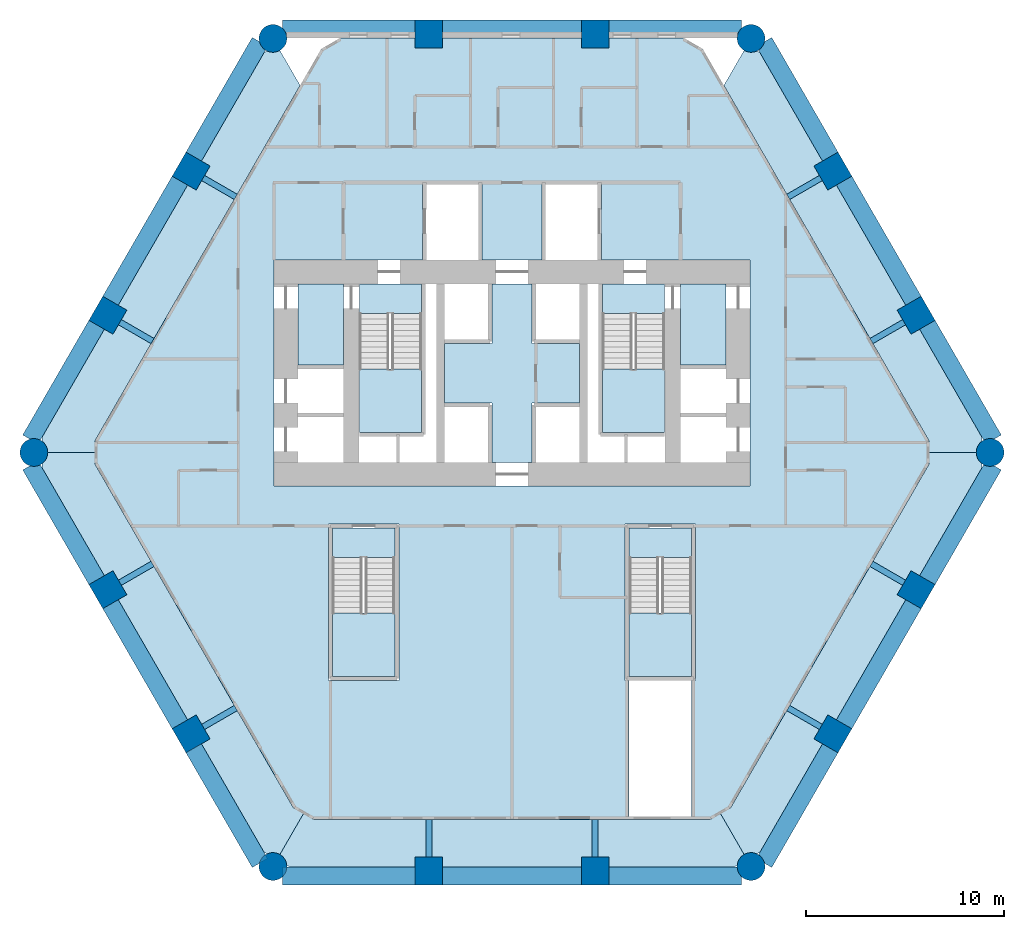
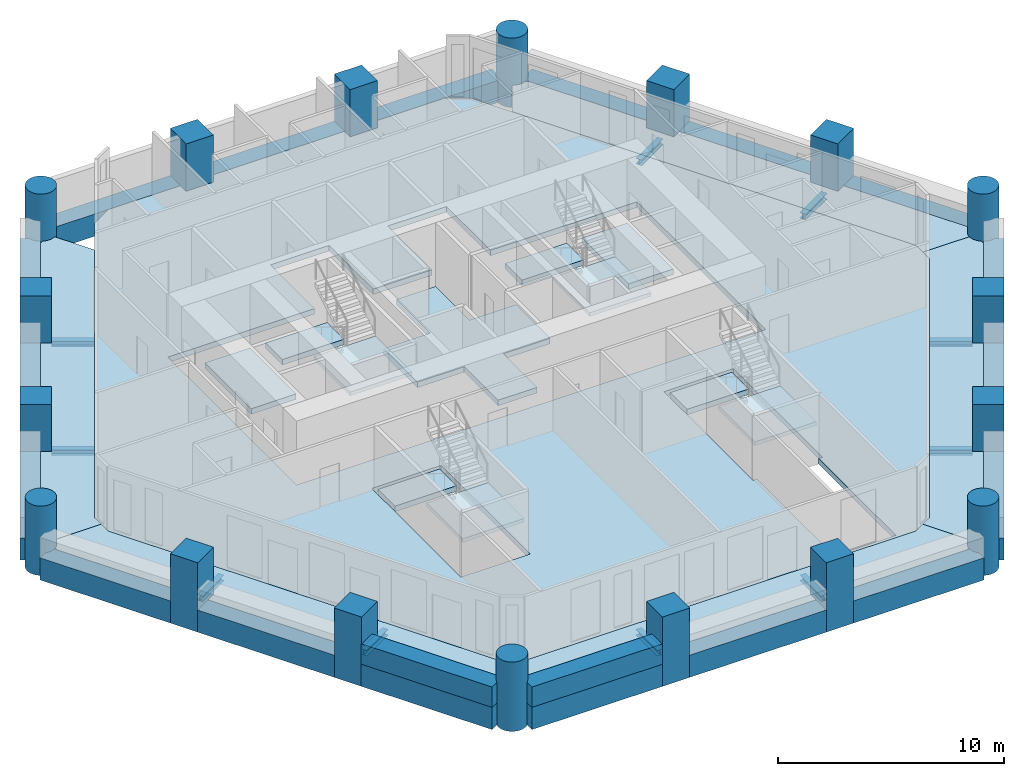
# One storey, part 1 of 8: 28 beams, 18 columns, 17 slabs, 2 walls, 4 elements without a shape of their own.
"""IFC4 building model written with IfcOpenShell, lengths in metres."""

from ifc_helpers import new_model, si_unit, direction, frame, frame_2d, origin, origin_2d, place, context, subcontext, project, spatial, polyline, rectangle, circle, i_section, outline, extrude, material, layer, layer_set, material_profile, profile_set, type_object, element, aggregate, save


model = new_model("IFC4")

# Units and contexts
model_context = context("Model", 3, precision=1e-05, world=origin(), true_north=direction((0.0, 1.0)))
body_context = subcontext(model_context, "Body", "Model", "MODEL_VIEW")
ifc_project = project(units=[si_unit("LENGTHUNIT", "METRE"), si_unit("AREAUNIT", "SQUARE_METRE"), si_unit("VOLUMEUNIT", "CUBIC_METRE"), si_unit("PLANEANGLEUNIT", "RADIAN"), si_unit("MASSUNIT", "GRAM", prefix="KILO")], contexts=[model_context])

# Site, building, storey
site_placement = place(None, origin())
site = spatial("IfcSite", under=ifc_project, at=site_placement, CompositionType="ELEMENT")
building_placement = place(site_placement, origin())
building = spatial("IfcBuilding", under=site, at=building_placement, Name="Ostrander Bayou Hotel Tower", CompositionType="ELEMENT")
storey_placement = place(building_placement, frame((0.0, 0.0, 28.0)))
storey = spatial("IfcBuildingStorey", under=building, at=storey_placement, Name="L06", CompositionType="ELEMENT", Elevation=28.0)

# Columns
ifc_material_1 = material(Name="Concrete f'c 70 MPa", Category="concrete")
ifc_material_profile_1 = material_profile(ifc_material_1, circle(Radius=0.699951171875, at=origin_2d()))
ifc_profile_set_1 = profile_set([ifc_material_profile_1], Name="Concrete f'c 70 MPa")
column_type_1 = type_object("IfcColumnType", Name="C1 round column 1400 mm f'c 70 MPa", PredefinedType="COLUMN", material=ifc_profile_set_1)
for number, where, z_axis, x_axis, name in (
    (1, (-12.050537109375, 20.872314453125, -1.199951171875), (0.0, 0.0, 1.0), (1.0, 0.0, 0.0), "C1 L06 K0"),
    (2, (-24.101318359375, 0.0, -1.199951171875), (0.0, 0.0, 1.0), (1.0, 0.0, 0.0), "C1 L06 K1"),
    (3, (-12.050537109375, -20.872314453125, -1.199951171875), (0.0, 0.0, 1.0), (1.0, 0.0, 0.0), "C1 L06 K2"),
    (4, (12.050537109375, -20.872314453125, -1.199951171875), (0.0, 0.0, 1.0), (1.0, 0.0, 0.0), "C1 L06 K3"),
    (5, (24.101318359375, 0.0, -1.199951171875), (0.0, 0.0, 1.0), (1.0, 0.0, 0.0), "C1 L06 K4"),
    (6, (12.050537109375, 20.872314453125, -1.199951171875), (0.0, 0.0, 1.0), (1.0, 0.0, 0.0), "C1 L06 K5"),
):
    element("IfcColumn", number, at=place(storey_placement, frame(where, z_axis=z_axis, x_axis=x_axis)), inside=storey, type_object=column_type_1, Name=name, PredefinedType="COLUMN", context=body_context, shape_type="SweptSolid", body=[
        extrude(circle(Radius=0.699951171875, at=origin_2d()), origin(), (0.0, 0.0, 1.0), 3.75),
    ])
ifc_material_2 = material(Name="Concrete f'c 70 MPa", Category="concrete")
ifc_material_profile_2 = material_profile(ifc_material_2, rectangle(XDim=1.39990234375, YDim=1.39990234375, at=origin_2d()))
ifc_profile_set_2 = profile_set([ifc_material_profile_2], Name="Concrete f'c 70 MPa")
column_type_2 = type_object("IfcColumnType", Name="C2 square column 1400 x 1400 mm f'c 70 MPa", PredefinedType="COLUMN", material=ifc_profile_set_2)
for number, where, z_axis, x_axis, name in (
    (7, (4.1953125, 21.10009765625, -1.199951171875), (0.0, 0.0, 1.0), (1.0, 0.0, 0.0), "C2 L06 N1"),
    (8, (-4.1953125, 21.10009765625, -1.199951171875), (0.0, 0.0, 1.0), (1.0, 0.0, 0.0), "C2 L06 N2"),
    (9, (-16.17529296875, 14.183349609375, -1.199951171875), (0.0, 0.0, 1.0), (0.5, 0.866025403784, 0.0), "C2 L06 NW1"),
    (10, (-20.370849609375, 6.916748046875, -1.199951171875), (0.0, 0.0, 1.0), (0.5, 0.866025403784, 0.0), "C2 L06 NW2"),
    (11, (-20.370849609375, -6.916748046875, -1.199951171875), (0.0, 0.0, 1.0), (-0.5, 0.866025403784, 0.0), "C2 L06 SW1"),
    (12, (-16.17529296875, -14.183349609375, -1.199951171875), (0.0, 0.0, 1.0), (-0.5, 0.866025403784, 0.0), "C2 L06 SW2"),
    (13, (-4.1953125, -21.10009765625, -1.199951171875), (0.0, 0.0, 1.0), (-1.0, 0.0, 0.0), "C2 L06 S1"),
    (14, (4.1953125, -21.10009765625, -1.199951171875), (0.0, 0.0, 1.0), (-1.0, 0.0, 0.0), "C2 L06 S2"),
    (15, (16.17529296875, -14.183349609375, -1.199951171875), (0.0, 0.0, 1.0), (-0.5, -0.866025403784, 0.0), "C2 L06 SE1"),
    (16, (20.370849609375, -6.916748046875, -1.199951171875), (0.0, 0.0, 1.0), (-0.5, -0.866025403784, 0.0), "C2 L06 SE2"),
    (17, (20.370849609375, 6.916748046875, -1.199951171875), (0.0, 0.0, 1.0), (0.5, -0.866025403784, 0.0), "C2 L06 NE1"),
    (18, (16.17529296875, 14.183349609375, -1.199951171875), (0.0, 0.0, 1.0), (0.5, -0.866025403784, 0.0), "C2 L06 NE2"),
):
    element("IfcColumn", number, at=place(storey_placement, frame(where, z_axis=z_axis, x_axis=x_axis)), inside=storey, type_object=column_type_2, Name=name, PredefinedType="COLUMN", context=body_context, shape_type="SweptSolid", body=[
        extrude(rectangle(XDim=1.39990234375, YDim=1.39990234375, at=origin_2d()), origin(), (0.0, 0.0, 1.0), 3.75),
    ])

# Beams
ifc_material_3 = material(Name="Steel ASTM A992", Category="steel")
ifc_material_profile_3 = material_profile(ifc_material_3, i_section(OverallWidth=0.3046875, OverallDepth=0.307861328125, WebThickness=0.010009765625, FlangeThickness=0.015380859375, at=origin_2d()))
ifc_profile_set_3 = profile_set([ifc_material_profile_3], Name="Steel ASTM A992")
beam_type_1 = type_object("IfcBeamType", Name="LB1 loggia bracket W12x65", PredefinedType="BEAM", material=ifc_profile_set_3)
beam_1_placement = place(storey_placement, frame((-15.569091796875, 13.833251953125, -0.453857421875), z_axis=(0.86601224135, -0.500022797313, 0.0), x_axis=(0.500022797313, 0.86601224135, 0.0)))
element("IfcBeam", 19, at=beam_1_placement, inside=storey, type_object=beam_type_1, Name="LB1 L06 NW1", PredefinedType="BEAM", context=body_context, shape_type="SweptSolid", body=[
    extrude(i_section(OverallWidth=0.3046875, OverallDepth=0.307861328125, WebThickness=0.010009765625, FlangeThickness=0.015380859375, at=origin_2d()), origin(), (0.0, 0.0, 1.0), 1.89990234375),
])
for number, where, z_axis, x_axis, name in (
    (20, (-19.7646484375, 6.566650390625, -0.453857421875), (0.866044365799, -0.499967155389, 0.0), (0.499967155389, 0.866044365799, 0.0), "LB1 L06 NW2"),
    (21, (-19.7646484375, -6.566650390625, -0.453857421875), (0.866044365799, 0.499967155389, 0.0), (-0.499967155389, 0.866044365799, 0.0), "LB1 L06 SW1"),
):
    element("IfcBeam", number, at=place(storey_placement, frame(where, z_axis=z_axis, x_axis=x_axis)), inside=storey, type_object=beam_type_1, Name=name, PredefinedType="BEAM", context=body_context, shape_type="SweptSolid", body=[
        extrude(i_section(OverallWidth=0.3046875, OverallDepth=0.307861328125, WebThickness=0.010009765625, FlangeThickness=0.015380859375, at=origin_2d()), origin(), (0.0, 0.0, 1.0), 1.900146484375),
    ])
for number, where, z_axis, x_axis, name in (
    (22, (-15.569091796875, -13.833251953125, -0.453857421875), (0.86601224135, 0.500022797313, 0.0), (-0.500022797313, 0.86601224135, 0.0), "LB1 L06 SW2"),
    (23, (-4.1953125, -20.39990234375, -0.453857421875), (0.0, 1.0, 0.0), (-1.0, 0.0, 0.0), "LB1 L06 S1"),
    (24, (4.1953125, -20.39990234375, -0.453857421875), (0.0, 1.0, 0.0), (-1.0, 0.0, 0.0), "LB1 L06 S2"),
    (25, (15.569091796875, -13.833251953125, -0.453857421875), (-0.86601224135, 0.500022797313, 0.0), (-0.500022797313, -0.86601224135, 0.0), "LB1 L06 SE1"),
):
    element("IfcBeam", number, at=place(storey_placement, frame(where, z_axis=z_axis, x_axis=x_axis)), inside=storey, type_object=beam_type_1, Name=name, PredefinedType="BEAM", context=body_context, shape_type="SweptSolid", body=[
        extrude(i_section(OverallWidth=0.3046875, OverallDepth=0.307861328125, WebThickness=0.010009765625, FlangeThickness=0.015380859375, at=origin_2d()), origin(), (0.0, 0.0, 1.0), 1.89990234375),
    ])
for number, where, z_axis, x_axis, name in (
    (26, (19.7646484375, -6.566650390625, -0.453857421875), (-0.866044365799, 0.499967155389, 0.0), (-0.499967155389, -0.866044365799, 0.0), "LB1 L06 SE2"),
    (27, (19.7646484375, 6.566650390625, -0.453857421875), (-0.866044365799, -0.499967155389, 0.0), (0.499967155389, -0.866044365799, 0.0), "LB1 L06 NE1"),
):
    element("IfcBeam", number, at=place(storey_placement, frame(where, z_axis=z_axis, x_axis=x_axis)), inside=storey, type_object=beam_type_1, Name=name, PredefinedType="BEAM", context=body_context, shape_type="SweptSolid", body=[
        extrude(i_section(OverallWidth=0.3046875, OverallDepth=0.307861328125, WebThickness=0.010009765625, FlangeThickness=0.015380859375, at=origin_2d()), origin(), (0.0, 0.0, 1.0), 1.900146484375),
    ])
beam_2_placement = place(storey_placement, frame((15.569091796875, 13.833251953125, -0.453857421875), z_axis=(-0.86601224135, -0.500022797313, 0.0), x_axis=(0.500022797313, -0.86601224135, 0.0)))
element("IfcBeam", 28, at=beam_2_placement, inside=storey, type_object=beam_type_1, Name="LB1 L06 NE2", PredefinedType="BEAM", context=body_context, shape_type="SweptSolid", body=[
    extrude(i_section(OverallWidth=0.3046875, OverallDepth=0.307861328125, WebThickness=0.010009765625, FlangeThickness=0.015380859375, at=origin_2d()), origin(), (0.0, 0.0, 1.0), 1.89990234375),
])
ifc_material_4 = material(Name="Concrete f'c 70 MPa", Category="concrete")
ifc_material_profile_4 = material_profile(ifc_material_4, rectangle(XDim=0.89990234375, YDim=1.199951171875, at=origin_2d()))
ifc_profile_set_4 = profile_set([ifc_material_profile_4], Name="Concrete f'c 70 MPa")
beam_type_2 = type_object("IfcBeamType", Name="SP1 spandrel beam 900 x 1200 mm f'c 70 MPa", PredefinedType="SPANDREL", material=ifc_profile_set_4)
beam_3_placement = place(storey_placement, frame((11.569091796875, 21.35009765625, -0.60009765625), z_axis=(-1.0, 0.0, 0.0), x_axis=(0.0, -1.0, 0.0)))
element("IfcBeam", 29, at=beam_3_placement, inside=storey, type_object=beam_type_2, Name="SP1 L06 N-1", PredefinedType="SPANDREL", context=body_context, shape_type="SweptSolid", body=[
    extrude(rectangle(XDim=0.89990234375, YDim=1.199951171875, at=origin_2d()), origin(), (0.0, 0.0, 1.0), 6.70361328125),
])
beam_4_placement = place(storey_placement, frame((3.525390625, 21.35009765625, -0.60009765625), z_axis=(-1.0, 0.0, 0.0), x_axis=(0.0, -1.0, 0.0)))
element("IfcBeam", 30, at=beam_4_placement, inside=storey, type_object=beam_type_2, Name="SP1 L06 N-2", PredefinedType="SPANDREL", context=body_context, shape_type="SweptSolid", body=[
    extrude(rectangle(XDim=0.89990234375, YDim=1.199951171875, at=origin_2d()), origin(), (0.0, 0.0, 1.0), 7.05078125),
])
for number, where, z_axis, x_axis, name in (
    (31, (-4.865478515625, 21.35009765625, -0.60009765625), (-1.0, 0.0, 0.0), (0.0, -1.0, 0.0), "SP1 L06 N-3"),
    (32, (-12.705078125, 20.694091796875, -0.60009765625), (-0.500005133765, -0.866022439784, 0.0), (0.866022439784, -0.500005133765, 0.0), "SP1 L06 NW-1"),
):
    element("IfcBeam", number, at=place(storey_placement, frame(where, z_axis=z_axis, x_axis=x_axis)), inside=storey, type_object=beam_type_2, Name=name, PredefinedType="SPANDREL", context=body_context, shape_type="SweptSolid", body=[
        extrude(rectangle(XDim=0.89990234375, YDim=1.199951171875, at=origin_2d()), origin(), (0.0, 0.0, 1.0), 6.70361328125),
    ])
beam_5_placement = place(storey_placement, frame((-16.726806640625, 13.72802734375, -0.60009765625), z_axis=(-0.499997206141, -0.866027016814, 0.0), x_axis=(0.866027016814, -0.499997206141, 0.0)))
element("IfcBeam", 33, at=beam_5_placement, inside=storey, type_object=beam_type_2, Name="SP1 L06 NW-2", PredefinedType="SPANDREL", context=body_context, shape_type="SweptSolid", body=[
    extrude(rectangle(XDim=0.89990234375, YDim=1.199951171875, at=origin_2d()), origin(), (0.0, 0.0, 1.0), 7.05078125),
])
for number, where, z_axis, x_axis, name in (
    (34, (-20.92236328125, 6.46142578125, -0.60009765625), (-0.500005133765, -0.866022439784, 0.0), (0.866022439784, -0.500005133765, 0.0), "SP1 L06 NW-3"),
    (35, (-24.274169921875, -0.656005859375, -0.60009765625), (0.500005133765, -0.866022439784, 0.0), (0.866022439784, 0.500005133765, 0.0), "SP1 L06 SW-1"),
):
    element("IfcBeam", number, at=place(storey_placement, frame(where, z_axis=z_axis, x_axis=x_axis)), inside=storey, type_object=beam_type_2, Name=name, PredefinedType="SPANDREL", context=body_context, shape_type="SweptSolid", body=[
        extrude(rectangle(XDim=0.89990234375, YDim=1.199951171875, at=origin_2d()), origin(), (0.0, 0.0, 1.0), 6.70361328125),
    ])
beam_6_placement = place(storey_placement, frame((-20.252197265625, -7.621826171875, -0.60009765625), z_axis=(0.499997206141, -0.866027016814, 0.0), x_axis=(0.866027016814, 0.499997206141, 0.0)))
element("IfcBeam", 36, at=beam_6_placement, inside=storey, type_object=beam_type_2, Name="SP1 L06 SW-2", PredefinedType="SPANDREL", context=body_context, shape_type="SweptSolid", body=[
    extrude(rectangle(XDim=0.89990234375, YDim=1.199951171875, at=origin_2d()), origin(), (0.0, 0.0, 1.0), 7.05078125),
])
for number, where, z_axis, x_axis, name in (
    (37, (-16.056884765625, -14.888671875, -0.60009765625), (0.500005133765, -0.866022439784, 0.0), (0.866022439784, 0.500005133765, 0.0), "SP1 L06 SW-3"),
    (38, (-11.569091796875, -21.35009765625, -0.60009765625), (1.0, 0.0, 0.0), (0.0, 1.0, 0.0), "SP1 L06 S-1"),
):
    element("IfcBeam", number, at=place(storey_placement, frame(where, z_axis=z_axis, x_axis=x_axis)), inside=storey, type_object=beam_type_2, Name=name, PredefinedType="SPANDREL", context=body_context, shape_type="SweptSolid", body=[
        extrude(rectangle(XDim=0.89990234375, YDim=1.199951171875, at=origin_2d()), origin(), (0.0, 0.0, 1.0), 6.70361328125),
    ])
beam_7_placement = place(storey_placement, frame((-3.525390625, -21.35009765625, -0.60009765625), z_axis=(1.0, 0.0, 0.0), x_axis=(0.0, 1.0, 0.0)))
element("IfcBeam", 39, at=beam_7_placement, inside=storey, type_object=beam_type_2, Name="SP1 L06 S-2", PredefinedType="SPANDREL", context=body_context, shape_type="SweptSolid", body=[
    extrude(rectangle(XDim=0.89990234375, YDim=1.199951171875, at=origin_2d()), origin(), (0.0, 0.0, 1.0), 7.05078125),
])
for number, where, z_axis, x_axis, name in (
    (40, (4.865478515625, -21.35009765625, -0.60009765625), (1.0, 0.0, 0.0), (0.0, 1.0, 0.0), "SP1 L06 S-3"),
    (41, (12.705078125, -20.694091796875, -0.60009765625), (0.500005133765, 0.866022439784, 0.0), (-0.866022439784, 0.500005133765, 0.0), "SP1 L06 SE-1"),
):
    element("IfcBeam", number, at=place(storey_placement, frame(where, z_axis=z_axis, x_axis=x_axis)), inside=storey, type_object=beam_type_2, Name=name, PredefinedType="SPANDREL", context=body_context, shape_type="SweptSolid", body=[
        extrude(rectangle(XDim=0.89990234375, YDim=1.199951171875, at=origin_2d()), origin(), (0.0, 0.0, 1.0), 6.70361328125),
    ])
beam_8_placement = place(storey_placement, frame((16.726806640625, -13.72802734375, -0.60009765625), z_axis=(0.499997206141, 0.866027016814, 0.0), x_axis=(-0.866027016814, 0.499997206141, 0.0)))
element("IfcBeam", 42, at=beam_8_placement, inside=storey, type_object=beam_type_2, Name="SP1 L06 SE-2", PredefinedType="SPANDREL", context=body_context, shape_type="SweptSolid", body=[
    extrude(rectangle(XDim=0.89990234375, YDim=1.199951171875, at=origin_2d()), origin(), (0.0, 0.0, 1.0), 7.05078125),
])
for number, where, z_axis, x_axis, name in (
    (43, (20.92236328125, -6.46142578125, -0.60009765625), (0.500005133765, 0.866022439784, 0.0), (-0.866022439784, 0.500005133765, 0.0), "SP1 L06 SE-3"),
    (44, (24.274169921875, 0.656005859375, -0.60009765625), (-0.500005133765, 0.866022439784, 0.0), (-0.866022439784, -0.500005133765, 0.0), "SP1 L06 NE-1"),
):
    element("IfcBeam", number, at=place(storey_placement, frame(where, z_axis=z_axis, x_axis=x_axis)), inside=storey, type_object=beam_type_2, Name=name, PredefinedType="SPANDREL", context=body_context, shape_type="SweptSolid", body=[
        extrude(rectangle(XDim=0.89990234375, YDim=1.199951171875, at=origin_2d()), origin(), (0.0, 0.0, 1.0), 6.70361328125),
    ])
beam_9_placement = place(storey_placement, frame((20.252197265625, 7.621826171875, -0.60009765625), z_axis=(-0.499997206141, 0.866027016814, 0.0), x_axis=(-0.866027016814, -0.499997206141, 0.0)))
element("IfcBeam", 45, at=beam_9_placement, inside=storey, type_object=beam_type_2, Name="SP1 L06 NE-2", PredefinedType="SPANDREL", context=body_context, shape_type="SweptSolid", body=[
    extrude(rectangle(XDim=0.89990234375, YDim=1.199951171875, at=origin_2d()), origin(), (0.0, 0.0, 1.0), 7.05078125),
])
beam_10_placement = place(storey_placement, frame((16.056884765625, 14.888671875, -0.60009765625), z_axis=(-0.500005133765, 0.866022439784, 0.0), x_axis=(-0.866022439784, -0.500005133765, 0.0)))
element("IfcBeam", 46, at=beam_10_placement, inside=storey, type_object=beam_type_2, Name="SP1 L06 NE-3", PredefinedType="SPANDREL", context=body_context, shape_type="SweptSolid", body=[
    extrude(rectangle(XDim=0.89990234375, YDim=1.199951171875, at=origin_2d()), origin(), (0.0, 0.0, 1.0), 6.70361328125),
])

# Slabs
ifc_material_5 = material(Name="Concrete f'c 40 MPa", Category="concrete")
ifc_layer_1 = layer(ifc_material_5, 0.300048828125)
ifc_layer_set_1 = layer_set([ifc_layer_1], Name="SL1 floor slab 300 mm f'c 40 MPa")
slab_type_1 = type_object("IfcSlabType", Name="SL1 floor slab 300 mm f'c 40 MPa", PredefinedType="FLOOR", material=ifc_layer_set_1)
slab_1_placement = place(storey_placement, frame((0.0, 0.0, -0.300048828125)))
element("IfcSlab", 47, at=slab_1_placement, inside=storey, type_object=slab_type_1, Name="SL1 L06 1", PredefinedType="FLOOR", context=body_context, shape_type="SweptSolid", body=[
    extrude(outline(polyline([(-3.525390625, 20.89990234375), (3.525390625, 20.89990234375), (4.865478515625, 20.89990234375), (8.6025390625, 20.89990234375), (9.6416015625, 20.300048828125), (21.015380859375, 0.60009765625), (21.015380859375, -0.60009765625), (11.02734375, -17.89990234375), (9.98828125, -18.5), (-9.98828125, -18.5), (-11.02734375, -17.89990234375), (-21.015380859375, -0.60009765625), (-21.015380859375, 0.60009765625), (-9.6416015625, 20.300048828125), (-8.6025390625, 20.89990234375), (-4.865478515625, 20.89990234375), (-3.525390625, 20.89990234375)]), holes=[polyline([(-12.0, -1.699951171875), (12.0, -1.699951171875), (12.0, 9.699951171875), (4.5, 9.699951171875), (4.5, 13.60009765625), (1.5, 13.60009765625), (1.5, 9.699951171875), (-1.5, 9.699951171875), (-1.5, 13.60009765625), (-4.5, 13.60009765625), (-4.5, 9.699951171875), (-12.0, 9.699951171875), (-12.0, -1.699951171875)]), polyline([(9.050048828125, -11.5), (9.25, -11.5), (9.25, -3.60009765625), (5.699951171875, -3.60009765625), (5.699951171875, -11.5), (5.89990234375, -11.5), (5.89990234375, -18.35009765625), (9.050048828125, -18.35009765625), (9.050048828125, -11.5)]), polyline([(-5.699951171875, -3.60009765625), (-9.25, -3.60009765625), (-9.25, -11.5), (-5.699951171875, -11.5), (-5.699951171875, -3.60009765625)])]), origin(), (0.0, 0.0, 1.0), 0.300048828125),
])
slab_2_placement = place(storey_placement, frame((0.0, 0.0, -0.300048828125)))
element("IfcSlab", 48, at=slab_2_placement, inside=storey, type_object=slab_type_1, Name="cslab:L06:001", PredefinedType="FLOOR", context=body_context, shape_type="SweptSolid", body=[
    extrude(outline(polyline([(-3.39990234375, 5.5), (-1.0, 5.5), (-1.0, 8.5), (1.0, 8.5), (1.0, 5.5), (3.39990234375, 5.5), (3.39990234375, 2.5), (1.0, 2.5), (1.0, -0.5), (-1.0, -0.5), (-1.0, 2.5), (-3.39990234375, 2.5), (-3.39990234375, 5.5)])), origin(), (0.0, 0.0, 1.0), 0.300048828125),
])
slab_3_placement = place(storey_placement, frame((0.0, 0.0, -0.300048828125)))
element("IfcSlab", 49, at=slab_3_placement, inside=storey, type_object=slab_type_1, Name="cslab:L06:002", PredefinedType="FLOOR", context=body_context, shape_type="SweptSolid", body=[
    extrude(outline(polyline([(-8.5, 4.39990234375), (-8.5, 8.5), (-10.800048828125, 8.5), (-10.800048828125, 4.39990234375), (-8.5, 4.39990234375)])), origin(), (0.0, 0.0, 1.0), 0.300048828125),
])
slab_4_placement = place(storey_placement, frame((0.0, 0.0, -0.300048828125)))
element("IfcSlab", 50, at=slab_4_placement, inside=storey, type_object=slab_type_1, Name="cslab:L06:003", PredefinedType="FLOOR", context=body_context, shape_type="SweptSolid", body=[
    extrude(outline(polyline([(10.800048828125, 4.39990234375), (10.800048828125, 8.5), (8.5, 8.5), (8.5, 4.39990234375), (10.800048828125, 4.39990234375)])), origin(), (0.0, 0.0, 1.0), 0.300048828125),
])
slab_5_placement = place(storey_placement, frame((0.0, 0.0, -0.300048828125)))
element("IfcSlab", 51, at=slab_5_placement, inside=storey, type_object=slab_type_1, Name="cslab:L06:004", PredefinedType="FLOOR", context=body_context, shape_type="SweptSolid", body=[
    extrude(outline(polyline([(-4.550048828125, 7.0), (-4.550048828125, 8.5), (-7.699951171875, 8.5), (-7.699951171875, 7.0), (-4.550048828125, 7.0)])), origin(), (0.0, 0.0, 1.0), 0.300048828125),
])
slab_6_placement = place(storey_placement, frame((0.0, 0.0, -0.300048828125)))
element("IfcSlab", 52, at=slab_6_placement, inside=storey, type_object=slab_type_1, Name="cslab:L06:005", PredefinedType="FLOOR", context=body_context, shape_type="SweptSolid", body=[
    extrude(outline(polyline([(7.699951171875, 7.0), (7.699951171875, 8.5), (4.550048828125, 8.5), (4.550048828125, 7.0), (7.699951171875, 7.0)])), origin(), (0.0, 0.0, 1.0), 0.300048828125),
])
slab_7_placement = place(storey_placement, frame((0.0, 0.0, -0.300048828125)))
element("IfcSlab", 53, at=slab_7_placement, inside=storey, type_object=slab_type_1, Name="cslab:L06:006", PredefinedType="FLOOR", context=body_context, shape_type="SweptSolid", body=[
    extrude(outline(polyline([(9.050048828125, -5.300048828125), (9.050048828125, -3.800048828125), (5.89990234375, -3.800048828125), (5.89990234375, -5.300048828125), (9.050048828125, -5.300048828125)])), origin(), (0.0, 0.0, 1.0), 0.300048828125),
])
slab_8_placement = place(storey_placement, frame((0.0, 0.0, -0.300048828125)))
element("IfcSlab", 54, at=slab_8_placement, inside=storey, type_object=slab_type_1, Name="cslab:L06:007", PredefinedType="FLOOR", context=body_context, shape_type="SweptSolid", body=[
    extrude(outline(polyline([(-5.89990234375, -5.300048828125), (-5.89990234375, -3.800048828125), (-9.050048828125, -3.800048828125), (-9.050048828125, -5.300048828125), (-5.89990234375, -5.300048828125)])), origin(), (0.0, 0.0, 1.0), 0.300048828125),
])
ifc_material_6 = material(Name="Concrete f'c 40 MPa", Category="concrete")
ifc_layer_2 = layer(ifc_material_6, 0.300048828125)
ifc_layer_set_2 = layer_set([ifc_layer_2], Name="SL4 loggia slab 300 mm f'c 40 MPa")
slab_type_2 = type_object("IfcSlabType", Name="SL4 loggia slab 300 mm f'c 40 MPa", PredefinedType="FLOOR", material=ifc_layer_set_2)
slab_9_placement = place(storey_placement, frame((0.0, 0.0, -0.300048828125)))
element("IfcSlab", 55, at=slab_9_placement, inside=storey, type_object=slab_type_2, Name="SL4 LOGGIA L06 NW 1", PredefinedType="FLOOR", context=body_context, shape_type="SweptSolid", body=[
    extrude(outline(polyline([(-23.401123046875, 0.0), (-23.41455078125, 0.13671875), (-23.45458984375, 0.267822265625), (-23.519287109375, 0.388916015625), (-23.606201171875, 0.4951171875), (-23.7001953125, 0.572021484375), (-23.7001953125, 0.75), (-20.53271484375, 6.236328125), (-19.862548828125, 7.39697265625), (-16.337158203125, 13.503173828125), (-15.667236328125, 14.66357421875), (-12.49951171875, 20.14990234375), (-12.344482421875, 20.239501953125), (-12.318603515625, 20.2255859375), (-12.187255859375, 20.185791015625), (-12.050537109375, 20.172119140625), (-11.9140625, 20.185791015625), (-11.78271484375, 20.2255859375), (-11.7021484375, 20.2685546875), (-10.680908203125, 18.5), (-21.015380859375, 0.60009765625), (-21.015380859375, 0.0), (-23.401123046875, 0.0)])), origin(), (0.0, 0.0, 1.0), 0.300048828125),
])
slab_10_placement = place(storey_placement, frame((0.0, 0.0, -0.300048828125)))
element("IfcSlab", 56, at=slab_10_placement, inside=storey, type_object=slab_type_2, Name="SL4 LOGGIA L06 SW 1", PredefinedType="FLOOR", context=body_context, shape_type="SweptSolid", body=[
    extrude(outline(polyline([(-10.5078125, -18.199951171875), (-11.7021484375, -20.2685546875), (-11.78271484375, -20.2255859375), (-11.9140625, -20.185791015625), (-12.050537109375, -20.172119140625), (-12.187255859375, -20.185791015625), (-12.318603515625, -20.2255859375), (-12.344482421875, -20.239501953125), (-12.49951171875, -20.14990234375), (-15.667236328125, -14.66357421875), (-16.337158203125, -13.503173828125), (-19.862548828125, -7.39697265625), (-20.53271484375, -6.236328125), (-23.505126953125, -1.087890625), (-23.7001953125, -0.75), (-23.7001953125, -0.572021484375), (-23.606201171875, -0.4951171875), (-23.519287109375, -0.388916015625), (-23.45458984375, -0.267822265625), (-23.41455078125, -0.13671875), (-23.401123046875, 0.0), (-21.015380859375, 0.0), (-21.015380859375, -0.60009765625), (-11.02734375, -17.89990234375), (-10.5078125, -18.199951171875)])), origin(), (0.0, 0.0, 1.0), 0.300048828125),
])
slab_11_placement = place(storey_placement, frame((0.0, 0.0, -0.300048828125)))
element("IfcSlab", 57, at=slab_11_placement, inside=storey, type_object=slab_type_2, Name="SL4 LOGGIA L06 S 1", PredefinedType="FLOOR", context=body_context, shape_type="SweptSolid", body=[
    extrude(outline(polyline([(10.5078125, -18.199951171875), (11.7021484375, -20.2685546875), (11.66162109375, -20.290283203125), (11.5556640625, -20.377197265625), (11.468505859375, -20.4833984375), (11.40380859375, -20.6044921875), (11.364013671875, -20.735595703125), (11.356689453125, -20.809814453125), (11.20068359375, -20.89990234375), (4.865478515625, -20.89990234375), (3.525390625, -20.89990234375), (-3.525390625, -20.89990234375), (-4.865478515625, -20.89990234375), (-11.20068359375, -20.89990234375), (-11.356689453125, -20.809814453125), (-11.364013671875, -20.735595703125), (-11.40380859375, -20.6044921875), (-11.468505859375, -20.4833984375), (-11.5556640625, -20.377197265625), (-11.66162109375, -20.290283203125), (-11.7021484375, -20.2685546875), (-10.5078125, -18.199951171875), (-9.98828125, -18.5), (9.98828125, -18.5), (10.5078125, -18.199951171875)])), origin(), (0.0, 0.0, 1.0), 0.300048828125),
])
slab_12_placement = place(storey_placement, frame((0.0, 0.0, -0.300048828125)))
element("IfcSlab", 58, at=slab_12_placement, inside=storey, type_object=slab_type_2, Name="SL4 LOGGIA L06 SE 1", PredefinedType="FLOOR", context=body_context, shape_type="SweptSolid", body=[
    extrude(outline(polyline([(21.015380859375, 0.0), (23.401123046875, 0.0), (23.41455078125, -0.13671875), (23.45458984375, -0.267822265625), (23.519287109375, -0.388916015625), (23.606201171875, -0.4951171875), (23.7001953125, -0.572021484375), (23.7001953125, -0.75), (20.53271484375, -6.236328125), (19.862548828125, -7.39697265625), (16.337158203125, -13.503173828125), (15.667236328125, -14.66357421875), (12.49951171875, -20.14990234375), (12.344482421875, -20.239501953125), (12.318603515625, -20.2255859375), (12.187255859375, -20.185791015625), (12.050537109375, -20.172119140625), (11.9140625, -20.185791015625), (11.78271484375, -20.2255859375), (11.7021484375, -20.2685546875), (10.5078125, -18.199951171875), (11.02734375, -17.89990234375), (21.015380859375, -0.60009765625), (21.015380859375, 0.0)])), origin(), (0.0, 0.0, 1.0), 0.300048828125),
])
slab_13_placement = place(storey_placement, frame((0.0, 0.0, -0.300048828125)))
element("IfcSlab", 59, at=slab_13_placement, inside=storey, type_object=slab_type_2, Name="SL4 LOGGIA L06 NE 1", PredefinedType="FLOOR", context=body_context, shape_type="SweptSolid", body=[
    extrude(outline(polyline([(11.7021484375, 20.2685546875), (11.78271484375, 20.2255859375), (11.9140625, 20.185791015625), (12.050537109375, 20.172119140625), (12.187255859375, 20.185791015625), (12.318603515625, 20.2255859375), (12.344482421875, 20.239501953125), (12.49951171875, 20.14990234375), (13.924560546875, 17.681884765625), (14.598388671875, 16.5146484375), (15.667236328125, 14.66357421875), (16.337158203125, 13.503173828125), (19.862548828125, 7.39697265625), (20.53271484375, 6.236328125), (23.7001953125, 0.75), (23.7001953125, 0.572021484375), (23.606201171875, 0.4951171875), (23.519287109375, 0.388916015625), (23.45458984375, 0.267822265625), (23.41455078125, 0.13671875), (23.401123046875, 0.0), (21.015380859375, 0.0), (21.015380859375, 0.60009765625), (10.680908203125, 18.5), (11.7021484375, 20.2685546875)])), origin(), (0.0, 0.0, 1.0), 0.300048828125),
])

# Stair, slab
ifc_material_7 = material(Name="Concrete f'c 45 MPa", Category="concrete")
stair_type = type_object("IfcStairType", Name="ST1 exit stair 1500 mm f'c 45 MPa", PredefinedType="HALF_TURN_STAIR", material=ifc_material_7)
stair_1_placement = place(storey_placement, origin())
stair_1 = element("IfcStair", 60, at=stair_1_placement, inside=storey, type_object=stair_type, Name="L06 exit stair A", PredefinedType="HALF_TURN_STAIR")
ifc_material_8 = material(Name="Concrete f'c 45 MPa", Category="concrete")
ifc_layer_3 = layer(ifc_material_8, 0.199951171875)
ifc_layer_set_3 = layer_set([ifc_layer_3], Name="SL8 stair landing 200 mm f'c 45 MPa")
slab_type_3 = type_object("IfcSlabType", Name="SL8 stair landing 200 mm f'c 45 MPa", PredefinedType="LANDING", material=ifc_layer_set_3)
slab_14_placement = place(storey_placement, frame((0.0, 0.0, 1.675048828125)))
slab_14 = element("IfcSlab", 61, at=slab_14_placement, type_object=slab_type_3, Name="STA landing 1", PredefinedType="LANDING", context=body_context, shape_type="SweptSolid", body=[
    extrude(outline(polyline([(-7.699951171875, 4.199951171875), (-7.699951171875, 1.0), (-4.550048828125, 1.0), (-4.550048828125, 4.199951171875), (-7.699951171875, 4.199951171875)])), origin(), (0.0, 0.0, 1.0), 0.199951171875),
])
aggregate(stair_1, [slab_14])

stair_2_placement = place(storey_placement, origin())
stair_2 = element("IfcStair", 62, at=stair_2_placement, inside=storey, type_object=stair_type, Name="L06 exit stair B", PredefinedType="HALF_TURN_STAIR")
slab_15_placement = place(storey_placement, frame((0.0, 0.0, 1.675048828125)))
slab_15 = element("IfcSlab", 63, at=slab_15_placement, type_object=slab_type_3, Name="STB landing 1", PredefinedType="LANDING", context=body_context, shape_type="SweptSolid", body=[
    extrude(outline(polyline([(4.550048828125, 4.199951171875), (4.550048828125, 1.0), (7.699951171875, 1.0), (7.699951171875, 4.199951171875), (4.550048828125, 4.199951171875)])), origin(), (0.0, 0.0, 1.0), 0.199951171875),
])
aggregate(stair_2, [slab_15])

stair_3_placement = place(storey_placement, origin())
stair_3 = element("IfcStair", 64, at=stair_3_placement, inside=storey, type_object=stair_type, Name="L06 exit stair C", PredefinedType="HALF_TURN_STAIR")
slab_16_placement = place(storey_placement, frame((0.0, 0.0, 1.675048828125)))
slab_16 = element("IfcSlab", 65, at=slab_16_placement, type_object=slab_type_3, Name="STC landing 1", PredefinedType="LANDING", context=body_context, shape_type="SweptSolid", body=[
    extrude(outline(polyline([(5.89990234375, -8.10009765625), (5.89990234375, -11.300048828125), (9.050048828125, -11.300048828125), (9.050048828125, -8.10009765625), (5.89990234375, -8.10009765625)])), origin(), (0.0, 0.0, 1.0), 0.199951171875),
])
aggregate(stair_3, [slab_16])

stair_4_placement = place(storey_placement, origin())
stair_4 = element("IfcStair", 66, at=stair_4_placement, inside=storey, type_object=stair_type, Name="L06 exit stair D", PredefinedType="HALF_TURN_STAIR")
slab_17_placement = place(storey_placement, frame((0.0, 0.0, 1.675048828125)))
slab_17 = element("IfcSlab", 67, at=slab_17_placement, type_object=slab_type_3, Name="STD landing 1", PredefinedType="LANDING", context=body_context, shape_type="SweptSolid", body=[
    extrude(outline(polyline([(-9.050048828125, -8.10009765625), (-9.050048828125, -11.300048828125), (-5.89990234375, -11.300048828125), (-5.89990234375, -8.10009765625), (-9.050048828125, -8.10009765625)])), origin(), (0.0, 0.0, 1.0), 0.199951171875),
])
aggregate(stair_4, [slab_17])

# Walls
ifc_material_9 = material(Name="Concrete f'c 40 MPa", Category="concrete")
ifc_layer_4 = layer(ifc_material_9, 0.89990234375)
ifc_layer_set_4 = layer_set([ifc_layer_4], Name="PA1 stone-faced parapet 900 mm")
wall_type_1 = type_object("IfcWallType", Name="PA1 stone-faced parapet 900 mm", PredefinedType="PARAPET", material=ifc_layer_set_4)
wall_1_placement = place(storey_placement, frame((-11.569091796875, -21.35009765625, 0.0), z_axis=(0.0, 0.0, 1.0), x_axis=(1.0, 0.0, 0.0)))
element("IfcWall", 68, at=wall_1_placement, inside=storey, type_object=wall_type_1, Name="PA1 L06 S-1", PredefinedType="PARAPET", context=body_context, shape_type="SweptSolid", body=[
    extrude(rectangle(XDim=6.70361328125, YDim=0.89990234375, at=frame_2d((3.351806640625, 0.0))), origin(), (0.0, 0.0, 1.0), 1.10009765625),
])
ifc_material_10 = material(Name="Limestone masonry", Category="masonry")
ifc_layer_5 = layer(ifc_material_10, 0.89990234375)
ifc_layer_set_5 = layer_set([ifc_layer_5], Name="PA2 limestone parapet 900 mm")
wall_type_2 = type_object("IfcWallType", Name="PA2 limestone parapet 900 mm", PredefinedType="PARAPET", material=ifc_layer_set_5)
wall_2_placement = place(storey_placement, frame((-16.056884765625, -14.888671875, 0.0), z_axis=(0.0, 0.0, 1.0), x_axis=(0.500005133765, -0.866022439784, 0.0)))
element("IfcWall", 69, at=wall_2_placement, inside=storey, type_object=wall_type_2, Name="PA2 L06 SW-3", PredefinedType="PARAPET", context=body_context, shape_type="SweptSolid", body=[
    extrude(rectangle(XDim=6.70361328125, YDim=0.89990234375, at=frame_2d((3.351806640625, 0.0))), origin(), (0.0, 0.0, 1.0), 1.10009765625),
])

save(model, "model.ifc")
